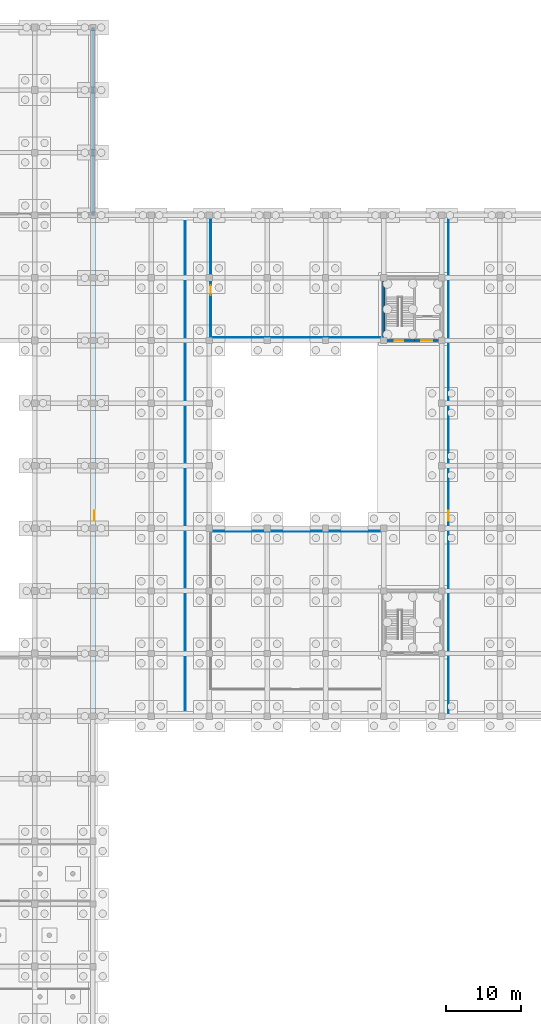
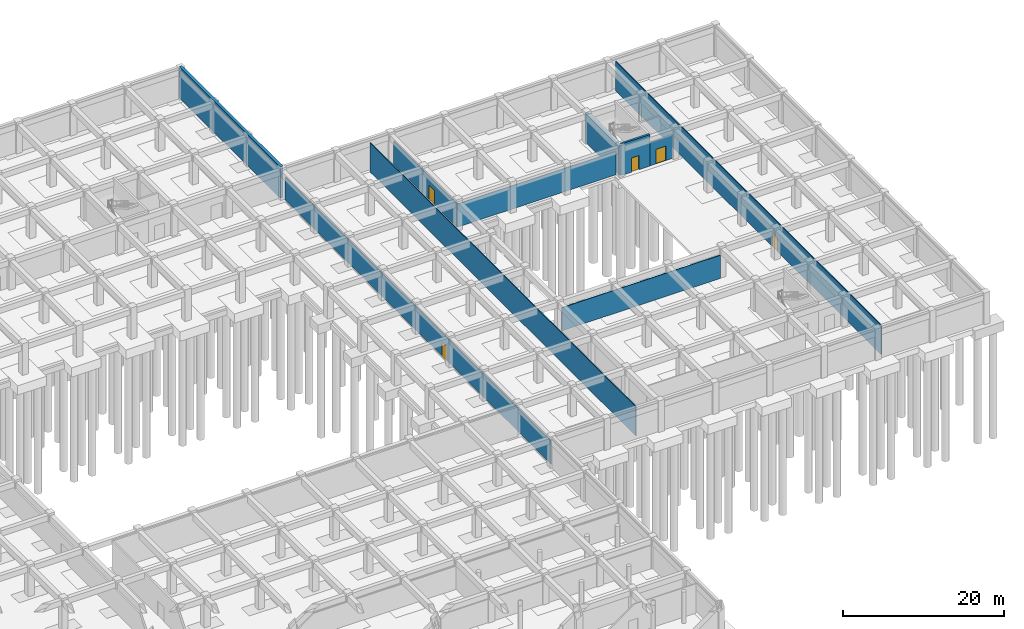
# One storey, part 24 of 31: 10 walls, 5 doors, 5 openings.
"""IFC4 building model written with IfcOpenShell, lengths in metres."""

import ifcopenshell
import ifcopenshell.guid

model = None  # the IFC model being written
_history = None  # IfcOwnerHistory: only IFC2X3 demands one
_inside = {}  # id of a spatial element -> (the spatial element, [elements in it])
_under = {}  # id of a project, library or spatial element -> (it, [spatial elements below it])
_declared = {}  # id of a project -> (the project, [libraries it declares])
_typed = {}  # id of a type object -> (the type object, [elements of that type])
_made_of = {}  # id of a material, layer set ... -> (it, [elements and type objects made of it])


def new_model(schema):
    """Start an empty IFC model of exactly this schema.

    Asked for "IFC4X3", IfcOpenShell would pick the latest addendum, in which some entities
    have other attributes; the version numbers below select the first issue.
    IFC2X3 requires an IfcOwnerHistory on every rooted entity: one is made here for all.
    """
    global model, _history
    if schema == "IFC4X3":
        model = ifcopenshell.file(schema_version=(4, 3, 0, 0))
    else:
        model = ifcopenshell.file(schema=schema)
    _inside.clear()
    _under.clear()
    _declared.clear()
    _typed.clear()
    _made_of.clear()
    _history = None
    if model.schema == "IFC2X3":
        org = make("IfcOrganization", Name="unknown")
        user = make(
            "IfcPersonAndOrganization",
            ThePerson=make("IfcPerson", FamilyName="unknown"),
            TheOrganization=org,
        )
        app = make(
            "IfcApplication",
            ApplicationDeveloper=org,
            Version="unknown",
            ApplicationFullName="unknown",
            ApplicationIdentifier="unknown",
        )
        _history = make(
            "IfcOwnerHistory",
            OwningUser=user,
            OwningApplication=app,
            ChangeAction="ADDED",
            CreationDate=0,
        )
    return model


def make(cls, **values):
    """One entity of the class cls with the attributes given. An attribute that is None is left unset."""
    return model.create_entity(
        cls, **{name: value for name, value in values.items() if value is not None}
    )


def rooted(cls, **values):
    """An entity with a GlobalId (a new one), such as an element, a storey or a relation."""
    return make(cls, GlobalId=ifcopenshell.guid.new(), OwnerHistory=_history, **values)


def si_unit(unit_type, name, prefix=None):
    """IfcSIUnit, for example si_unit("LENGTHUNIT", "METRE", prefix="MILLI")."""
    return make("IfcSIUnit", UnitType=unit_type, Prefix=prefix, Name=name)


def assignment(units):
    """IfcUnitAssignment: the units of a project."""
    return None if units is None else make("IfcUnitAssignment", Units=units)


def point(xyz):
    """IfcCartesianPoint."""
    return None if xyz is None else make("IfcCartesianPoint", Coordinates=xyz)


def direction(xyz):
    """IfcDirection."""
    return None if xyz is None else make("IfcDirection", DirectionRatios=xyz)


def frame(location, z_axis=None, x_axis=None):
    """IfcAxis2Placement3D, a coordinate frame: its origin and axes. An axis left out is left unset."""
    return make(
        "IfcAxis2Placement3D",
        Location=point(location),
        Axis=direction(z_axis),
        RefDirection=direction(x_axis),
    )


def frame_2d(location, x_axis=None):
    """IfcAxis2Placement2D, a coordinate frame in the plane: its origin and x axis."""
    return make(
        "IfcAxis2Placement2D", Location=point(location), RefDirection=direction(x_axis)
    )


def origin():
    """The frame at (0, 0, 0) with its axes left unset."""
    return frame((0.0, 0.0, 0.0))


def place(relative_to, where):
    """IfcLocalPlacement: puts the frame where relative to a parent placement (None: the world)."""
    return make(
        "IfcLocalPlacement", PlacementRelTo=relative_to, RelativePlacement=where
    )


def context(
    kind, dimensions, precision=None, world=None, true_north=None, identifier=None
):
    """IfcGeometricRepresentationContext, for example the 3D "Model" context."""
    return make(
        "IfcGeometricRepresentationContext",
        ContextIdentifier=identifier,
        ContextType=kind,
        CoordinateSpaceDimension=dimensions,
        Precision=precision,
        WorldCoordinateSystem=world,
        TrueNorth=true_north,
    )


def subcontext(parent, identifier, kind, view, scale=None):
    """IfcGeometricRepresentationSubContext, for example "Body" below "Model"."""
    return make(
        "IfcGeometricRepresentationSubContext",
        ContextIdentifier=identifier,
        ContextType=kind,
        ParentContext=parent,
        TargetScale=scale,
        TargetView=view,
    )


def project(units=None, contexts=None):
    """IfcProject with its units and contexts."""
    return rooted(
        "IfcProject",
        Name="project",
        RepresentationContexts=contexts,
        UnitsInContext=assignment(units),
    )


def spatial(cls, under=None, at=None, **own):
    """A site, building, storey or space (cls), placed at a placement, below another one or the project."""
    s = rooted(cls, ObjectPlacement=at, **own)
    if under is not None:
        _under.setdefault(under.id(), (under, []))[1].append(s)
    return s


def profile(cls, at=None, kind="AREA", **sizes):
    """A parametric profile (cls). Its sizes go by their IFC names, for example OverallWidth=200.0."""
    return make(cls, ProfileType=kind, Position=at, **sizes)


def rectangle(**sizes):
    """IfcRectangleProfileDef."""
    return profile("IfcRectangleProfileDef", **sizes)


def extrude(swept, where, along, depth):
    """IfcExtrudedAreaSolid: the profile swept, set in the frame where, extruded along a direction by depth."""
    return make(
        "IfcExtrudedAreaSolid",
        SweptArea=swept,
        Position=where,
        ExtrudedDirection=direction(along),
        Depth=depth,
    )


def shape(context_of_items, identifier, shape_type, items):
    """IfcShapeRepresentation: the items that make up one representation, for example the "Body"."""
    return make(
        "IfcShapeRepresentation",
        ContextOfItems=context_of_items,
        RepresentationIdentifier=identifier,
        RepresentationType=shape_type,
        Items=items,
    )


def material(Name=None, Category=None):
    """IfcMaterial."""
    return make("IfcMaterial", Name=Name, Category=Category)


def layer(
    of_material, thickness, ventilated=None, Name=None, Category=None, Priority=None
):
    """IfcMaterialLayer: one layer of a wall or slab, of a material (None: an air gap)."""
    return make(
        "IfcMaterialLayer",
        Material=of_material,
        LayerThickness=thickness,
        IsVentilated=ventilated,
        Name=Name,
        Category=Category,
        Priority=Priority,
    )


def layer_set(layers, Name=None):
    """IfcMaterialLayerSet."""
    return make("IfcMaterialLayerSet", MaterialLayers=layers, LayerSetName=Name)


def made_of(thing, what):
    """Note that an element or type object is made of a material, layer set ...; save() writes the relation."""
    if what is not None:
        _made_of.setdefault(what.id(), (what, []))[1].append(thing)
    return thing


def type_object(cls, material=None, **own):
    """A type object (cls), such as IfcWallType, which elements share."""
    return made_of(rooted(cls, **own), material)


def element(
    cls,
    number,
    at=None,
    inside=None,
    cuts=None,
    type_object=None,
    material=None,
    context=None,
    identifier="Body",
    shape_type=None,
    held_by="IfcProductDefinitionShape",
    body=None,
    shapes=None,
    **own,
):
    """One element of the class cls, such as IfcWall. Its Tag is "e" and its number.

    at: its placement. inside: the storey or other place that contains it. cuts: it is an
    opening in that element (IfcRelVoidsElement). A single representation is given by context,
    identifier, shape_type and body (its items); several are given by shapes. held_by: the class
    of the entity that holds the representations. save() writes the other relations.
    """
    e = rooted(cls, Tag="e%d" % number, ObjectPlacement=at, **own)
    if body is not None:
        shapes = [shape(context, identifier, shape_type, body)]
    if shapes is not None:
        e.Representation = make(held_by, Representations=shapes)
    if inside is not None:
        _inside.setdefault(inside.id(), (inside, []))[1].append(e)
    if cuts is not None:
        rooted(
            "IfcRelVoidsElement", RelatingBuildingElement=cuts, RelatedOpeningElement=e
        )
    if type_object is not None:
        _typed.setdefault(type_object.id(), (type_object, []))[1].append(e)
    return made_of(e, material)


def fill(opening, filler):
    """IfcRelFillsElement: the door or window that sits in an opening."""
    return rooted(
        "IfcRelFillsElement",
        RelatingOpeningElement=opening,
        RelatedBuildingElement=filler,
    )


def aggregate(whole, parts):
    """IfcRelAggregates: a whole, such as a stair, and the parts it consists of."""
    return rooted("IfcRelAggregates", RelatingObject=whole, RelatedObjects=parts)


def save(model, path):
    """Write the relations noted so far, then the file.

    IfcRelAggregates (storeys below a building ...), IfcRelContainedInSpatialStructure (elements
    in a storey), IfcRelDefinesByType, IfcRelAssociatesMaterial and IfcRelDeclares: one each for
    every whole, place, type object, material and project.
    """
    for whole, parts in _under.values():
        aggregate(whole, parts)
    for where, things in _inside.values():
        rooted(
            "IfcRelContainedInSpatialStructure",
            RelatedElements=things,
            RelatingStructure=where,
        )
    for kind, things in _typed.values():
        rooted("IfcRelDefinesByType", RelatedObjects=things, RelatingType=kind)
    for what, things in _made_of.values():
        rooted("IfcRelAssociatesMaterial", RelatedObjects=things, RelatingMaterial=what)
    for by, libraries in _declared.values():
        rooted("IfcRelDeclares", RelatingContext=by, RelatedDefinitions=libraries)
    model.write(path)


model = new_model("IFC4")

# Units and contexts
model_context = context("Model", 3, precision=1e-05, world=origin(), true_north=direction((0.0, 1.0)))
body_context = subcontext(model_context, "Body", "Model", "MODEL_VIEW")
ifc_project = project(units=[si_unit("LENGTHUNIT", "METRE"), si_unit("AREAUNIT", "SQUARE_METRE"), si_unit("VOLUMEUNIT", "CUBIC_METRE"), si_unit("PLANEANGLEUNIT", "RADIAN"), si_unit("MASSUNIT", "GRAM", prefix="KILO")], contexts=[model_context])

# Site, building, storey
site_placement = place(None, origin())
site = spatial("IfcSite", under=ifc_project, at=site_placement, CompositionType="ELEMENT")
building_placement = place(site_placement, origin())
building = spatial("IfcBuilding", under=site, at=building_placement, Name="Zizhar Promenade General Hospital", CompositionType="ELEMENT")
storey_placement = place(building_placement, frame((0.0, 0.0, -4.800048828125)))
storey = spatial("IfcBuildingStorey", under=building, at=storey_placement, Name="B1", CompositionType="ELEMENT", Elevation=-4.800048828125)

# Wall, opening, door
ifc_material_1 = material(Name="Concrete C35/45", Category="concrete")
ifc_layer_1 = layer(ifc_material_1, 0.215087890625)
ifc_layer_set_1 = layer_set([ifc_layer_1], Name="Concrete C35/45")
wall_type_1 = type_object("IfcWallType", Name="IW-LOBBY-215", PredefinedType="STANDARD", material=ifc_layer_set_1)
wall_1_placement = place(storey_placement, frame((175.75, 92.39990234375, 0.0), z_axis=(0.0, 0.0, 1.0), x_axis=(1.0, 0.0, 0.0)))
wall_1 = element("IfcWall", 1, at=wall_1_placement, inside=storey, type_object=wall_type_1, Name="Core C8 Lift Lobby South Fire Wall (B1)", PredefinedType="STANDARD", context=body_context, shape_type="SweptSolid", body=[
    extrude(rectangle(XDim=3.2900390625, YDim=0.215087890625, at=frame_2d((1.64501953125, 0.0))), origin(), (0.0, 0.0, 1.0), 3.530029296875),
])
opening_1_placement = place(wall_1_placement, frame((0.925048828125, 0.0, 0.0)))
opening_1 = element("IfcOpeningElement", 2, at=opening_1_placement, cuts=wall_1, Name="Opening D-23", PredefinedType="OPENING", context=body_context, shape_type="SweptSolid", body=[
    extrude(rectangle(XDim=1.43994140625, YDim=2.199951171875, at=frame_2d((0.719970703125, 1.10009765625))), frame((0.0, 0.11767578125, 0.0), z_axis=(0.0, -1.0, 0.0), x_axis=(1.0, 0.0, 0.0)), (0.0, 0.0, 1.0), 0.235107421875),
])
ifc_material_2 = material(Name="Fire-rated timber lift lobby pair", Category="wood")
door_type_1 = type_object("IfcDoorType", Name="DR-LOBBY-PR-144x220", OperationType="DOUBLE_DOOR_SINGLE_SWING", PredefinedType="DOOR", material=ifc_material_2)
door_1_placement = place(opening_1_placement, origin())
door_1 = element("IfcDoor", 3, at=door_1_placement, inside=storey, type_object=door_type_1, Name="Core C8 Protected Lift Lobby Door (B1)", OperationType="DOUBLE_DOOR_SINGLE_SWING", OverallHeight=2.199951171875, OverallWidth=1.43994140625, PredefinedType="DOOR", context=body_context, shape_type="SweptSolid", body=[
    extrude(rectangle(XDim=1.43994140625, YDim=2.199951171875, at=frame_2d((0.719970703125, 1.10009765625))), frame((0.0, 0.02490234375, 0.0), z_axis=(0.0, -1.0, 0.0), x_axis=(1.0, 0.0, 0.0)), (0.0, 0.0, 1.0), 0.050048828125),
])
fill(opening_1, door_1)

ifc_material_3 = material(Name="Clean utility gypsum partition")
ifc_layer_2 = layer(ifc_material_3, 0.114990234375)
ifc_layer_set_2 = layer_set([ifc_layer_2], Name="Clean utility gypsum partition")
wall_type_2 = type_object("IfcWallType", Name="IW-STR-115", PredefinedType="PARTITIONING", material=ifc_layer_set_2)
wall_2_placement = place(storey_placement, frame((132.800048828125, 42.39990234375, 0.0), z_axis=(0.0, 0.0, 1.0), x_axis=(0.0, 1.0, 0.0)))
wall_2 = element("IfcWall", 4, at=wall_2_placement, inside=storey, type_object=wall_type_2, Name="Outpatient Medical Records Archive W Partition", PredefinedType="PARTITIONING", context=body_context, shape_type="SweptSolid", body=[
    extrude(rectangle(XDim=66.2001953125, YDim=0.114990234375, at=frame_2d((33.10009765625, 0.0))), origin(), (0.0, 0.0, 1.0), 3.51513671875),
])
opening_2_placement = place(wall_2_placement, frame((25.820068359375, 0.0, 0.0)))
opening_2 = element("IfcOpeningElement", 5, at=opening_2_placement, cuts=wall_2, Name="Opening D-26", PredefinedType="OPENING", context=body_context, shape_type="SweptSolid", body=[
    extrude(rectangle(XDim=1.320068359375, YDim=2.14990234375, at=frame_2d((0.66015625, 1.074951171875))), frame((0.0, 0.0673828125, 0.0), z_axis=(0.0, -1.0, 0.0), x_axis=(1.0, 0.0, 0.0)), (0.0, 0.0, 1.0), 0.135009765625),
])
ifc_material_4 = material(Name="Fire-rated timber store leaf", Category="wood")
door_type_2 = type_object("IfcDoorType", Name="DR-STORE-132x215", OperationType="NOTDEFINED", PredefinedType="DOOR", material=ifc_material_4)
door_2_placement = place(opening_2_placement, origin())
door_2 = element("IfcDoor", 6, at=door_2_placement, inside=storey, type_object=door_type_2, Name="Outpatient Medical Records Archive Door", OperationType="SINGLE_SWING_RIGHT", OverallHeight=2.14990234375, OverallWidth=1.320068359375, PredefinedType="DOOR", context=body_context, shape_type="SweptSolid", body=[
    extrude(rectangle(XDim=1.320068359375, YDim=2.14990234375, at=frame_2d((0.66015625, 1.074951171875))), frame((0.0, 0.02490234375, 0.0), z_axis=(0.0, -1.0, 0.0), x_axis=(1.0, 0.0, 0.0)), (0.0, 0.0, 1.0), 0.050048828125),
])
fill(opening_2, door_2)

# Walls
wall_3_placement = place(storey_placement, frame((145.0, 42.39990234375, 0.0), z_axis=(0.0, 0.0, 1.0), x_axis=(0.0, 1.0, 0.0)))
element("IfcWall", 7, at=wall_3_placement, inside=storey, type_object=wall_type_2, Name="Outpatient Medical Records Archive E Partition", PredefinedType="PARTITIONING", context=body_context, shape_type="SweptSolid", body=[
    extrude(rectangle(XDim=66.2001953125, YDim=0.114990234375, at=frame_2d((33.10009765625, 0.0))), origin(), (0.0, 0.0, 1.0), 4.4599609375),
])
wall_4_placement = place(storey_placement, frame((148.39990234375, 66.800048828125, 0.0), z_axis=(0.0, 0.0, 1.0), x_axis=(1.0, 0.0, 0.0)))
element("IfcWall", 8, at=wall_4_placement, inside=storey, type_object=wall_type_2, Name="Hospital Bulk Consumables Store N Partition", PredefinedType="PARTITIONING", context=body_context, shape_type="SweptSolid", body=[
    extrude(rectangle(XDim=22.800048828125, YDim=0.114990234375, at=frame_2d((11.39990234375, 0.0))), origin(), (0.0, 0.0, 1.0), 3.530029296875),
])

# Wall, opening, door
wall_5_placement = place(storey_placement, frame((180.300048828125, 42.39990234375, 0.0), z_axis=(0.0, 0.0, 1.0), x_axis=(0.0, 1.0, 0.0)))
wall_5 = element("IfcWall", 9, at=wall_5_placement, inside=storey, type_object=wall_type_2, Name="Diagnostic Isotope and Reagent Store W Partition", PredefinedType="PARTITIONING", context=body_context, shape_type="SweptSolid", body=[
    extrude(rectangle(XDim=66.2001953125, YDim=0.114990234375, at=frame_2d((33.10009765625, 0.0))), origin(), (0.0, 0.0, 1.0), 4.4599609375),
])
opening_3_placement = place(wall_5_placement, frame((25.820068359375, 0.0, 0.0)))
opening_3 = element("IfcOpeningElement", 10, at=opening_3_placement, cuts=wall_5, Name="Opening D-26", PredefinedType="OPENING", context=body_context, shape_type="SweptSolid", body=[
    extrude(rectangle(XDim=1.320068359375, YDim=2.14990234375, at=frame_2d((0.66015625, 1.074951171875))), frame((0.0, 0.0673828125, 0.0), z_axis=(0.0, -1.0, 0.0), x_axis=(1.0, 0.0, 0.0)), (0.0, 0.0, 1.0), 0.135009765625),
])
door_3_placement = place(opening_3_placement, origin())
door_3 = element("IfcDoor", 11, at=door_3_placement, inside=storey, type_object=door_type_2, Name="Diagnostic Isotope and Reagent Store Door", OperationType="SINGLE_SWING_RIGHT", OverallHeight=2.14990234375, OverallWidth=1.320068359375, PredefinedType="DOOR", context=body_context, shape_type="SweptSolid", body=[
    extrude(rectangle(XDim=1.320068359375, YDim=2.14990234375, at=frame_2d((0.66015625, 1.074951171875))), frame((0.0, 0.02490234375, 0.0), z_axis=(0.0, -1.0, 0.0), x_axis=(1.0, 0.0, 0.0)), (0.0, 0.0, 1.0), 0.050048828125),
])
fill(opening_3, door_3)

# Wall
wall_6_placement = place(storey_placement, frame((148.39990234375, 92.800048828125, 0.0), z_axis=(0.0, 0.0, 1.0), x_axis=(1.0, 0.0, 0.0)))
element("IfcWall", 12, at=wall_6_placement, inside=storey, type_object=wall_type_2, Name="Staff Bicycle and Mortuary Logistics Suite S Partition", PredefinedType="PARTITIONING", context=body_context, shape_type="SweptSolid", body=[
    extrude(rectangle(XDim=22.800048828125, YDim=0.114990234375, at=frame_2d((11.39990234375, 0.0))), origin(), (0.0, 0.0, 1.0), 3.530029296875),
])

# Wall, opening, door
wall_7_placement = place(storey_placement, frame((148.39990234375, 92.800048828125, 0.0), z_axis=(0.0, 0.0, 1.0), x_axis=(0.0, 1.0, 0.0)))
wall_7 = element("IfcWall", 13, at=wall_7_placement, inside=storey, type_object=wall_type_2, Name="Staff Bicycle and Mortuary Logistics Suite W Partition", PredefinedType="PARTITIONING", context=body_context, shape_type="SweptSolid", body=[
    extrude(rectangle(XDim=15.800048828125, YDim=0.114990234375, at=frame_2d((7.89990234375, 0.0))), origin(), (0.0, 0.0, 1.0), 3.51513671875),
])
opening_4_placement = place(wall_7_placement, frame((5.659912109375, 0.0, 0.0)))
opening_4 = element("IfcOpeningElement", 14, at=opening_4_placement, cuts=wall_7, Name="Opening D-26", PredefinedType="OPENING", context=body_context, shape_type="SweptSolid", body=[
    extrude(rectangle(XDim=1.320068359375, YDim=2.14990234375, at=frame_2d((0.66015625, 1.074951171875))), frame((0.0, 0.0673828125, 0.0), z_axis=(0.0, -1.0, 0.0), x_axis=(1.0, 0.0, 0.0)), (0.0, 0.0, 1.0), 0.135009765625),
])
door_4_placement = place(opening_4_placement, origin())
door_4 = element("IfcDoor", 15, at=door_4_placement, inside=storey, type_object=door_type_2, Name="Staff Bicycle and Mortuary Logistics Suite Door", OperationType="SINGLE_SWING_LEFT", OverallHeight=2.14990234375, OverallWidth=1.320068359375, PredefinedType="DOOR", context=body_context, shape_type="SweptSolid", body=[
    extrude(rectangle(XDim=1.320068359375, YDim=2.14990234375, at=frame_2d((0.66015625, 1.074951171875))), frame((0.0, 0.02490234375, 0.0), z_axis=(0.0, -1.0, 0.0), x_axis=(1.0, 0.0, 0.0)), (0.0, 0.0, 1.0), 0.050048828125),
])
fill(opening_4, door_4)

# Wall
ifc_material_5 = material(Name="Concrete C35/45", Category="concrete")
ifc_layer_3 = layer(ifc_material_5, 0.39990234375)
ifc_layer_set_3 = layer_set([ifc_layer_3], Name="Concrete C35/45")
wall_type_3 = type_object("IfcWallType", Name="WL-BSMT-400", PredefinedType="SOLIDWALL", material=ifc_layer_set_3)
wall_8_placement = place(storey_placement, frame((132.60009765625, 109.199951171875, 0.0), z_axis=(0.0, 0.0, 1.0), x_axis=(0.0, 1.0, 0.0)))
element("IfcWall", 16, at=wall_8_placement, inside=storey, type_object=wall_type_3, Name="Basement Retaining Wall B06", PredefinedType="SOLIDWALL", context=body_context, shape_type="SweptSolid", body=[
    extrude(rectangle(XDim=25.199951171875, YDim=0.39990234375, at=frame_2d((12.60009765625, 0.0))), origin(), (0.0, 0.0, 1.0), 4.800048828125),
])

# Wall, opening, door
ifc_material_6 = material(Name="Concrete C40/50", Category="concrete")
ifc_layer_4 = layer(ifc_material_6, 0.300048828125)
ifc_layer_set_4 = layer_set([ifc_layer_4], Name="Concrete C40/50")
wall_type_4 = type_object("IfcWallType", Name="WL-CORE-300", PredefinedType="SHEAR", material=ifc_layer_set_4)
wall_9_placement = place(storey_placement, frame((171.60009765625, 92.39990234375, 0.0), z_axis=(0.0, 0.0, 1.0), x_axis=(1.0, 0.0, 0.0)))
wall_9 = element("IfcWall", 17, at=wall_9_placement, inside=storey, type_object=wall_type_4, Name="Core C8 Stair South Fire Wall (B1)", PredefinedType="SHEAR", context=body_context, shape_type="SweptSolid", body=[
    extrude(rectangle(XDim=4.14990234375, YDim=0.300048828125, at=frame_2d((2.074951171875, 0.0))), origin(), (0.0, 0.0, 1.0), 4.800048828125),
])
opening_5_placement = place(wall_9_placement, frame((1.514892578125, 0.0, 0.0)))
opening_5 = element("IfcOpeningElement", 18, at=opening_5_placement, cuts=wall_9, Name="Opening D-21", PredefinedType="OPENING", context=body_context, shape_type="SweptSolid", body=[
    extrude(rectangle(XDim=1.1201171875, YDim=2.14990234375, at=frame_2d((0.56005859375, 1.074951171875))), frame((0.0, 0.16015625, 0.0), z_axis=(0.0, -1.0, 0.0), x_axis=(1.0, 0.0, 0.0)), (0.0, 0.0, 1.0), 0.320068359375),
])
ifc_material_7 = material(Name="Steel S355 protected stair door", Category="steel")
door_type_3 = type_object("IfcDoorType", Name="DR-STAIR-112x215", OperationType="NOTDEFINED", PredefinedType="DOOR", material=ifc_material_7)
door_5_placement = place(opening_5_placement, origin())
door_5 = element("IfcDoor", 19, at=door_5_placement, inside=storey, type_object=door_type_3, Name="Exit Stair ST-08 Door (B1)", OperationType="SINGLE_SWING_RIGHT", OverallHeight=2.14990234375, OverallWidth=1.1201171875, PredefinedType="DOOR", context=body_context, shape_type="SweptSolid", body=[
    extrude(rectangle(XDim=1.1201171875, YDim=2.14990234375, at=frame_2d((0.56005859375, 1.074951171875))), frame((0.0, 0.02490234375, 0.0), z_axis=(0.0, -1.0, 0.0), x_axis=(1.0, 0.0, 0.0)), (0.0, 0.0, 1.0), 0.050048828125),
])
fill(opening_5, door_5)

# Wall
ifc_material_8 = material(Name="Concrete C40/50", Category="concrete")
ifc_layer_5 = layer(ifc_material_8, 0.35009765625)
ifc_layer_set_5 = layer_set([ifc_layer_5], Name="Concrete C40/50")
wall_type_5 = type_object("IfcWallType", Name="WL-CORE-350", PredefinedType="SHEAR", material=ifc_layer_set_5)
wall_10_placement = place(storey_placement, frame((171.60009765625, 92.39990234375, 0.0), z_axis=(0.0, 0.0, 1.0), x_axis=(0.0, 1.0, 0.0)))
element("IfcWall", 20, at=wall_10_placement, inside=storey, type_object=wall_type_5, Name="Core C8 West Shear Wall B1", PredefinedType="SHEAR", context=body_context, shape_type="SweptSolid", body=[
    extrude(rectangle(XDim=8.400146484375, YDim=0.35009765625, at=frame_2d((4.2001953125, 0.0))), origin(), (0.0, 0.0, 1.0), 4.400146484375),
])

save(model, "model.ifc")
